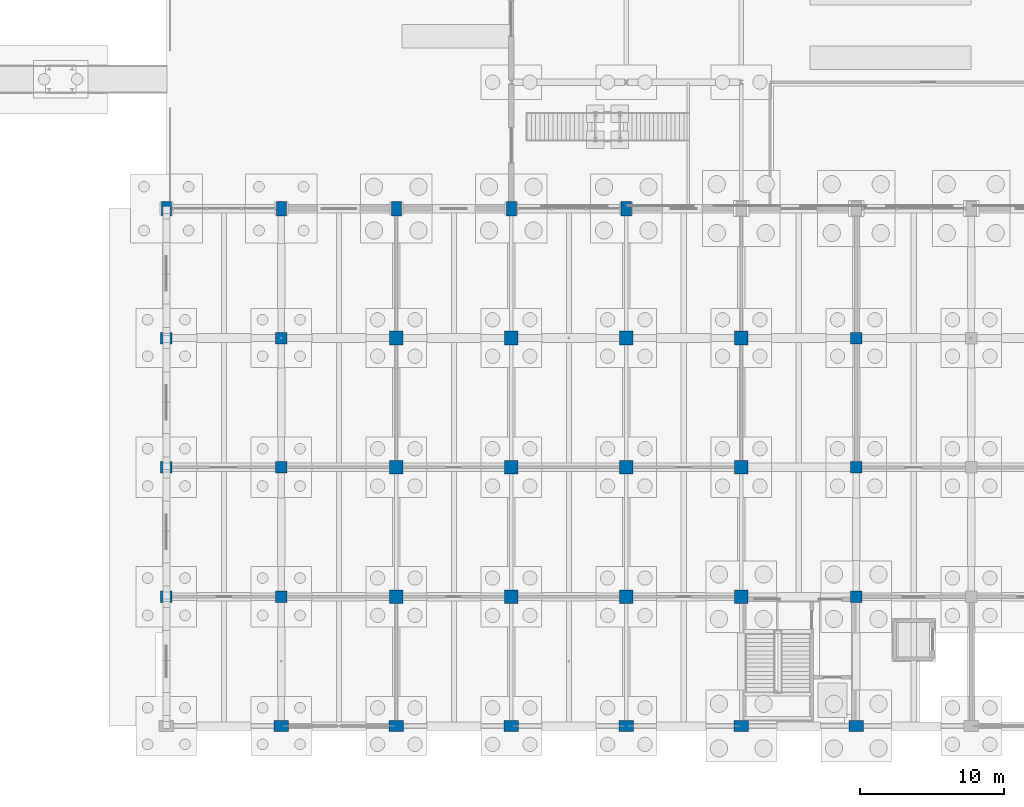
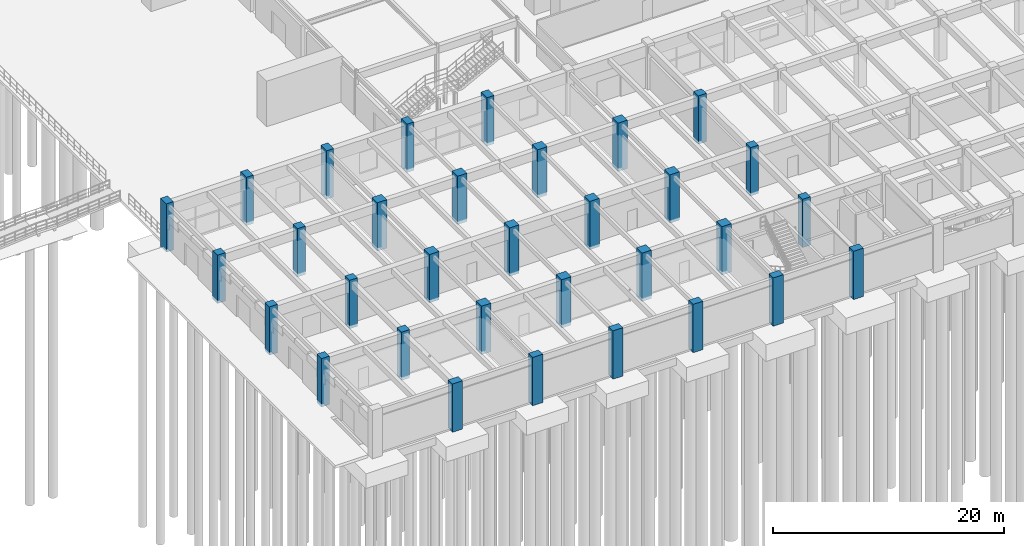
# One storey, part 11 of 147: 32 columns.
"""IFC4 building model written with IfcOpenShell, lengths in metres."""

from ifc_helpers import new_model, si_unit, direction, frame, origin, origin_2d, place, context, subcontext, project, spatial, rectangle, extrude, material, material_profile, profile_set, type_object, element, save


model = new_model("IFC4")

# Units and contexts
model_context = context("Model", 3, precision=1e-05, world=origin(), true_north=direction((0.0, 1.0)))
body_context = subcontext(model_context, "Body", "Model", "MODEL_VIEW")
ifc_project = project(units=[si_unit("LENGTHUNIT", "METRE"), si_unit("AREAUNIT", "SQUARE_METRE"), si_unit("VOLUMEUNIT", "CUBIC_METRE"), si_unit("PLANEANGLEUNIT", "RADIAN"), si_unit("MASSUNIT", "GRAM", prefix="KILO")], contexts=[model_context])

# Site, building, storey
site_placement = place(None, origin())
site = spatial("IfcSite", under=ifc_project, at=site_placement, CompositionType="ELEMENT")
building_placement = place(site_placement, origin())
building = spatial("IfcBuilding", under=site, at=building_placement, Name="Varnabhumi Central Station", CompositionType="ELEMENT")
storey_placement = place(building_placement, origin())
storey = spatial("IfcBuildingStorey", under=building, at=storey_placement, Name="L00", CompositionType="ELEMENT", Elevation=0.0)

# Columns
ifc_material_1 = material(Name="Concrete M50", Category="concrete")
ifc_material_profile_1 = material_profile(ifc_material_1, rectangle(XDim=1.0, YDim=0.75, at=origin_2d()), Name="Concrete M50", Category="concrete")
ifc_profile_set_1 = profile_set([ifc_material_profile_1], Name="Concrete M50")
column_type_1 = type_object("IfcColumnType", Name="COL-RC-1000x750", PredefinedType="PILASTER", material=ifc_profile_set_1)
for number, where, z_axis, x_axis, name in (
    (1, (8.0, 0.0, -0.300048828125), (0.0, 0.0, 1.0), (1.0, 0.0, 0.0), "Column L00-2A"),
    (2, (16.0, 0.0, -0.300048828125), (0.0, 0.0, 1.0), (1.0, 0.0, 0.0), "Column L00-3A"),
    (3, (24.0, 0.0, -0.300048828125), (0.0, 0.0, 1.0), (1.0, 0.0, 0.0), "Column L00-4A"),
    (4, (32.0, 0.0, -0.300048828125), (0.0, 0.0, 1.0), (1.0, 0.0, 0.0), "Column L00-5A"),
    (5, (40.0, 0.0, -0.300048828125), (0.0, 0.0, 1.0), (1.0, 0.0, 0.0), "Column L00-6A"),
    (6, (48.0, 0.0, -0.300048828125), (0.0, 0.0, 1.0), (1.0, 0.0, 0.0), "Column L00-7A"),
):
    element("IfcColumn", number, at=place(storey_placement, frame(where, z_axis=z_axis, x_axis=x_axis)), inside=storey, type_object=column_type_1, Name=name, PredefinedType="PILASTER", context=body_context, shape_type="SweptSolid", body=[
        extrude(rectangle(XDim=1.0, YDim=0.75, at=origin_2d()), origin(), (0.0, 0.0, 1.0), 5.10009765625),
    ])
ifc_material_profile_2 = material_profile(ifc_material_1, rectangle(XDim=0.949951171875, YDim=0.949951171875, at=origin_2d()), Name="Concrete M50", Category="concrete")
ifc_profile_set_2 = profile_set([ifc_material_profile_2], Name="Concrete M50")
column_type_2 = type_object("IfcColumnType", Name="COL-RC-950", PredefinedType="COLUMN", material=ifc_profile_set_2)
for number, where, z_axis, x_axis, name in (
    (7, (16.0, 9.0, -0.300048828125), (0.0, 0.0, 1.0), (1.0, 0.0, 0.0), "Column L00-3B"),
    (8, (16.0, 18.0, -0.300048828125), (0.0, 0.0, 1.0), (1.0, 0.0, 0.0), "Column L00-3C"),
    (9, (16.0, 27.0, -0.300048828125), (0.0, 0.0, 1.0), (1.0, 0.0, 0.0), "Column L00-3D"),
    (10, (24.0, 9.0, -0.300048828125), (0.0, 0.0, 1.0), (1.0, 0.0, 0.0), "Column L00-4B"),
    (11, (24.0, 18.0, -0.300048828125), (0.0, 0.0, 1.0), (1.0, 0.0, 0.0), "Column L00-4C"),
    (12, (24.0, 27.0, -0.300048828125), (0.0, 0.0, 1.0), (1.0, 0.0, 0.0), "Column L00-4D"),
    (13, (32.0, 9.0, -0.300048828125), (0.0, 0.0, 1.0), (1.0, 0.0, 0.0), "Column L00-5B"),
    (14, (32.0, 18.0, -0.300048828125), (0.0, 0.0, 1.0), (1.0, 0.0, 0.0), "Column L00-5C"),
    (15, (32.0, 27.0, -0.300048828125), (0.0, 0.0, 1.0), (1.0, 0.0, 0.0), "Column L00-5D"),
    (16, (40.0, 9.0, -0.300048828125), (0.0, 0.0, 1.0), (1.0, 0.0, 0.0), "Column L00-6B"),
    (17, (40.0, 18.0, -0.300048828125), (0.0, 0.0, 1.0), (1.0, 0.0, 0.0), "Column L00-6C"),
    (18, (40.0, 27.0, -0.300048828125), (0.0, 0.0, 1.0), (1.0, 0.0, 0.0), "Column L00-6D"),
):
    element("IfcColumn", number, at=place(storey_placement, frame(where, z_axis=z_axis, x_axis=x_axis)), inside=storey, type_object=column_type_2, Name=name, PredefinedType="COLUMN", context=body_context, shape_type="SweptSolid", body=[
        extrude(rectangle(XDim=0.949951171875, YDim=0.949951171875, at=origin_2d()), origin(), (0.0, 0.0, 1.0), 5.10009765625),
    ])
ifc_material_2 = material(Name="Concrete M40", Category="concrete")
ifc_material_profile_3 = material_profile(ifc_material_2, rectangle(XDim=0.800048828125, YDim=0.800048828125, at=origin_2d()), Name="Concrete M40", Category="concrete")
ifc_profile_set_3 = profile_set([ifc_material_profile_3], Name="Concrete M40")
column_type_3 = type_object("IfcColumnType", Name="COL-SOUTH-800", PredefinedType="COLUMN", material=ifc_profile_set_3)
for number, where, z_axis, x_axis, name in (
    (19, (0.0, 9.0, -0.300048828125), (0.0, 0.0, 1.0), (1.0, 0.0, 0.0), "Column L00-1B"),
    (20, (0.0, 18.0, -0.300048828125), (0.0, 0.0, 1.0), (1.0, 0.0, 0.0), "Column L00-1C"),
    (21, (0.0, 27.0, -0.300048828125), (0.0, 0.0, 1.0), (1.0, 0.0, 0.0), "Column L00-1D"),
    (22, (8.0, 9.0, -0.300048828125), (0.0, 0.0, 1.0), (1.0, 0.0, 0.0), "Column L00-2B"),
    (23, (8.0, 18.0, -0.300048828125), (0.0, 0.0, 1.0), (1.0, 0.0, 0.0), "Column L00-2C"),
    (24, (8.0, 27.0, -0.300048828125), (0.0, 0.0, 1.0), (1.0, 0.0, 0.0), "Column L00-2D"),
    (25, (48.0, 9.0, -0.300048828125), (0.0, 0.0, 1.0), (1.0, 0.0, 0.0), "Column L00-7B"),
    (26, (48.0, 18.0, -0.300048828125), (0.0, 0.0, 1.0), (1.0, 0.0, 0.0), "Column L00-7C"),
    (27, (48.0, 27.0, -0.300048828125), (0.0, 0.0, 1.0), (1.0, 0.0, 0.0), "Column L00-7D"),
):
    element("IfcColumn", number, at=place(storey_placement, frame(where, z_axis=z_axis, x_axis=x_axis)), inside=storey, type_object=column_type_3, Name=name, PredefinedType="COLUMN", context=body_context, shape_type="SweptSolid", body=[
        extrude(rectangle(XDim=0.800048828125, YDim=0.800048828125, at=origin_2d()), origin(), (0.0, 0.0, 1.0), 5.10009765625),
    ])
ifc_material_profile_4 = material_profile(ifc_material_1, rectangle(XDim=0.699951171875, YDim=1.0, at=origin_2d()), Name="Concrete M50", Category="concrete")
ifc_profile_set_4 = profile_set([ifc_material_profile_4], Name="Concrete M50")
column_type_4 = type_object("IfcColumnType", Name="COL-SPINE-M50-1000x700", PredefinedType="COLUMN", material=ifc_profile_set_4)
for number, where, z_axis, x_axis, name in (
    (28, (0.0, 36.0, -0.300048828125), (0.0, 0.0, 1.0), (1.0, 0.0, 0.0), "Column L00-1E"),
    (29, (8.0, 36.0, -0.300048828125), (0.0, 0.0, 1.0), (1.0, 0.0, 0.0), "Column L00-2E"),
    (30, (16.0, 36.0, -0.300048828125), (0.0, 0.0, 1.0), (1.0, 0.0, 0.0), "Column L00-3E"),
    (31, (24.0, 36.0, -0.300048828125), (0.0, 0.0, 1.0), (1.0, 0.0, 0.0), "Column L00-4E"),
    (32, (32.0, 36.0, -0.300048828125), (0.0, 0.0, 1.0), (1.0, 0.0, 0.0), "Column L00-5E"),
):
    element("IfcColumn", number, at=place(storey_placement, frame(where, z_axis=z_axis, x_axis=x_axis)), inside=storey, type_object=column_type_4, Name=name, PredefinedType="COLUMN", context=body_context, shape_type="SweptSolid", body=[
        extrude(rectangle(XDim=0.699951171875, YDim=1.0, at=origin_2d()), origin(), (0.0, 0.0, 1.0), 5.10009765625),
    ])

save(model, "model.ifc")
